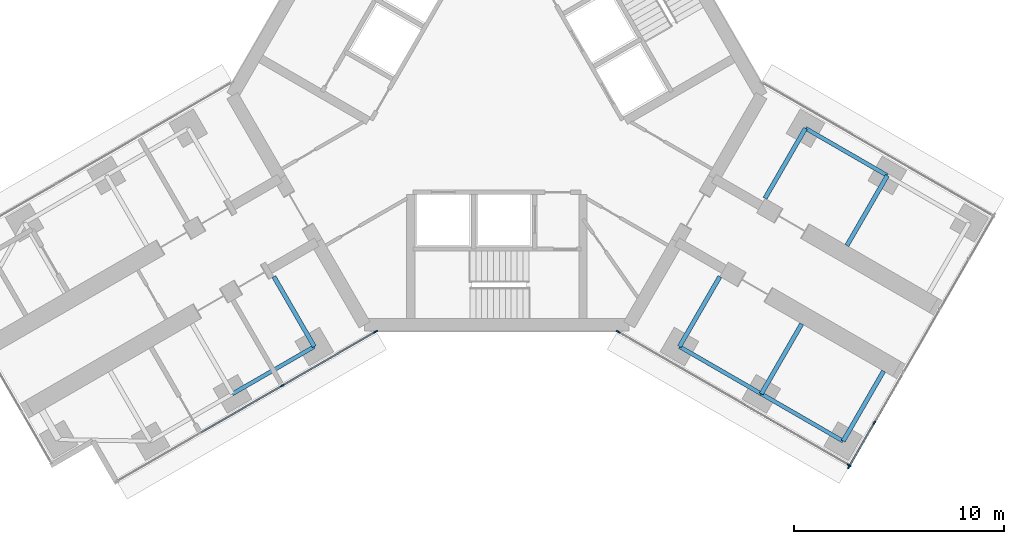
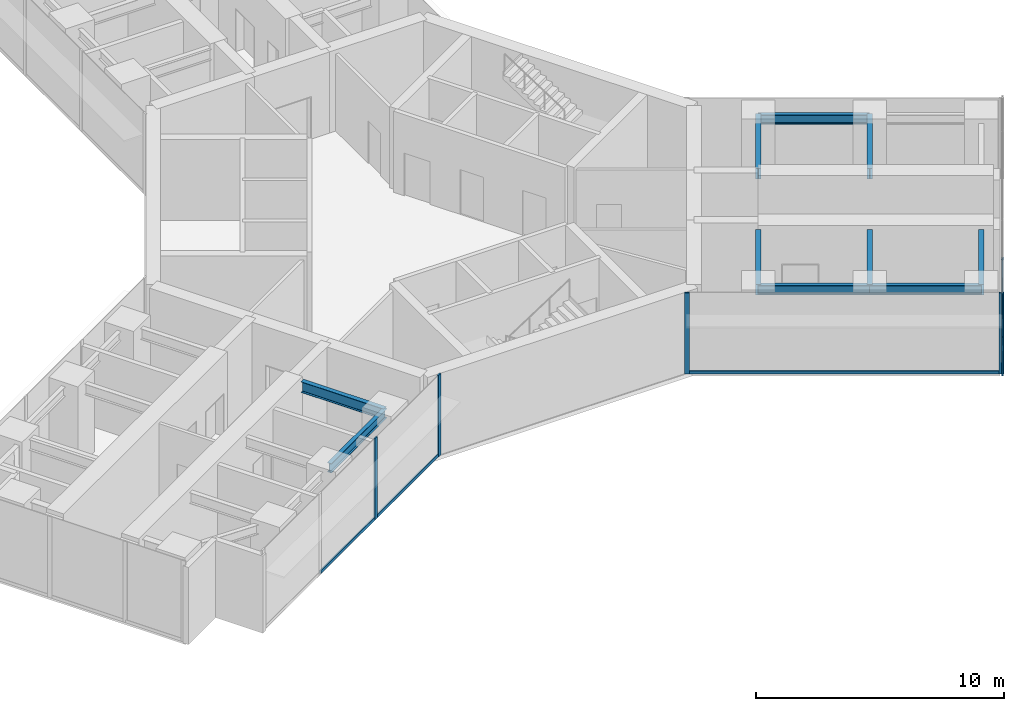
# One storey, part 8 of 21: 11 members, 10 beams, 3 elements without a shape of their own.
"""IFC4 building model written with IfcOpenShell, lengths in metres."""

from ifc_helpers import new_model, si_unit, direction, frame, origin, origin_2d, place, context, subcontext, project, spatial, rectangle, i_section, extrude, material, material_profile, profile_set, type_object, element, aggregate, save


model = new_model("IFC4")

# Units and contexts
model_context = context("Model", 3, precision=1e-05, world=origin(), true_north=direction((0.0, 1.0)))
body_context = subcontext(model_context, "Body", "Model", "MODEL_VIEW")
ifc_project = project(units=[si_unit("LENGTHUNIT", "METRE"), si_unit("AREAUNIT", "SQUARE_METRE"), si_unit("VOLUMEUNIT", "CUBIC_METRE"), si_unit("PLANEANGLEUNIT", "RADIAN"), si_unit("MASSUNIT", "GRAM", prefix="KILO")], contexts=[model_context])

# Site, building, storey
site_placement = place(None, origin())
site = spatial("IfcSite", under=ifc_project, at=site_placement, CompositionType="ELEMENT")
building_placement = place(site_placement, origin())
building = spatial("IfcBuilding", under=site, at=building_placement, Name="Upepo Twin Towers", CompositionType="ELEMENT")
storey_placement = place(building_placement, frame((0.0, 0.0, 117.5)))
storey = spatial("IfcBuildingStorey", under=building, at=storey_placement, Name="L28", CompositionType="ELEMENT", Elevation=117.5)

# Beams
ifc_material_1 = material(Name="Steel S355", Category="steel")
ifc_material_profile_1 = material_profile(ifc_material_1, i_section(OverallWidth=0.1904296875, OverallDepth=0.45703125, WebThickness=0.009033203125, FlangeThickness=0.014404296875, FilletRadius=0.01025390625, at=origin_2d()), Name="UB 457x191x74")
ifc_profile_set_1 = profile_set([ifc_material_profile_1], Name="Steel S355")
beam_type_1 = type_object("IfcBeamType", Name="Beam UB 457x191x74", PredefinedType="BEAM", material=ifc_profile_set_1)
for number, where, z_axis, x_axis, name in (
    (1, (49.80859375, -29.946044921875, 3.571533203125), (-0.866017533419, -0.500013631625, 0.0), (0.500013631625, -0.866017533419, 0.0), "T2 edge beam BL 13.5-18.0"),
    (2, (73.19140625, -19.553955078125, 3.571533203125), (0.866017533419, -0.500013631625, 0.0), (0.500013631625, 0.866017533419, 0.0), "T2 edge beam CL 13.5-18.0"),
    (3, (67.19140625, -29.946044921875, 3.571533203125), (0.866017533419, -0.500013631625, 0.0), (0.500013631625, 0.866017533419, 0.0), "T2 edge beam CR 13.5-18.0"),
):
    element("IfcBeam", number, at=place(storey_placement, frame(where, z_axis=z_axis, x_axis=x_axis)), inside=storey, type_object=beam_type_1, Name=name, PredefinedType="BEAM", context=body_context, shape_type="SweptSolid", body=[
        extrude(i_section(OverallWidth=0.1904296875, OverallDepth=0.45703125, WebThickness=0.009033203125, FlangeThickness=0.014404296875, FilletRadius=0.01025390625, at=origin_2d()), origin(), (0.0, 0.0, 1.0), 4.499755859375),
    ])
beam_1_placement = place(storey_placement, frame((71.08837890625, -32.196044921875, 3.571533203125), z_axis=(0.866031096941, -0.499990139034, 0.0), x_axis=(0.499990139034, 0.866031096941, 0.0)))
element("IfcBeam", 4, at=beam_1_placement, inside=storey, type_object=beam_type_1, Name="T2 edge beam CR 18.0-22.5", PredefinedType="BEAM", context=body_context, shape_type="SweptSolid", body=[
    extrude(i_section(OverallWidth=0.1904296875, OverallDepth=0.45703125, WebThickness=0.009033203125, FlangeThickness=0.014404296875, FilletRadius=0.01025390625, at=origin_2d()), origin(), (0.0, 0.0, 1.0), 4.5),
])
ifc_material_2 = material(Name="Steel S355", Category="steel")
ifc_material_profile_2 = material_profile(ifc_material_2, i_section(OverallWidth=0.209228515625, OverallDepth=0.533203125, WebThickness=0.010009765625, FlangeThickness=0.015625, FilletRadius=0.0126953125, at=origin_2d()), Name="UB 533x210x92")
ifc_profile_set_2 = profile_set([ifc_material_profile_2], Name="Steel S355")
beam_type_2 = type_object("IfcBeamType", Name="Beam UB 533x210x92", PredefinedType="BEAM", material=ifc_profile_set_2)
for number, where, z_axis, x_axis, name in (
    (5, (49.80859375, -29.946044921875, 3.533447265625), (-0.500033517596, 0.866006051527, 0.0), (-0.866006051527, -0.500033517596, 0.0), "T2 girder BL at 13.5"),
    (6, (73.19140625, -19.553955078125, 3.533447265625), (-0.500033517596, -0.866006051527, 0.0), (0.866006051527, -0.500033517596, 0.0), "T2 girder CL at 13.5"),
):
    element("IfcBeam", number, at=place(storey_placement, frame(where, z_axis=z_axis, x_axis=x_axis)), inside=storey, type_object=beam_type_2, Name=name, PredefinedType="BEAM", context=body_context, shape_type="SweptSolid", body=[
        extrude(i_section(OverallWidth=0.209228515625, OverallDepth=0.533203125, WebThickness=0.010009765625, FlangeThickness=0.015625, FilletRadius=0.0126953125, at=origin_2d()), origin(), (0.0, 0.0, 1.0), 3.849853515625),
    ])
beam_2_placement = place(storey_placement, frame((77.08837890625, -21.803955078125, 3.533447265625), z_axis=(-0.499985955615, -0.866033512162, 0.0), x_axis=(0.866033512162, -0.499985955615, 0.0)))
element("IfcBeam", 7, at=beam_2_placement, inside=storey, type_object=beam_type_2, Name="T2 girder CL at 18.0", PredefinedType="BEAM", context=body_context, shape_type="SweptSolid", body=[
    extrude(i_section(OverallWidth=0.209228515625, OverallDepth=0.533203125, WebThickness=0.010009765625, FlangeThickness=0.015625, FilletRadius=0.0126953125, at=origin_2d()), origin(), (0.0, 0.0, 1.0), 3.849609375),
])
for number, where, z_axis, x_axis, name in (
    (8, (67.19140625, -29.946044921875, 3.533447265625), (0.500033517596, 0.866006051527, 0.0), (-0.866006051527, 0.500033517596, 0.0), "T2 girder CR at 13.5"),
    (9, (71.08837890625, -32.196044921875, 3.533447265625), (0.500033517596, 0.866006051527, 0.0), (-0.866006051527, 0.500033517596, 0.0), "T2 girder CR at 18.0"),
    (10, (74.985595703125, -34.446044921875, 3.533447265625), (0.500033517596, 0.866006051527, 0.0), (-0.866006051527, 0.500033517596, 0.0), "T2 girder CR at 22.5"),
):
    element("IfcBeam", number, at=place(storey_placement, frame(where, z_axis=z_axis, x_axis=x_axis)), inside=storey, type_object=beam_type_2, Name=name, PredefinedType="BEAM", context=body_context, shape_type="SweptSolid", body=[
        extrude(i_section(OverallWidth=0.209228515625, OverallDepth=0.533203125, WebThickness=0.010009765625, FlangeThickness=0.015625, FilletRadius=0.0126953125, at=origin_2d()), origin(), (0.0, 0.0, 1.0), 3.849853515625),
    ])

# Curtain wall, members
ifc_material_3 = material(Name="Aluminium and fritted glass", Category="aluminium")
curtain_wall_type = type_object("IfcCurtainWallType", Name="Tower curtain wall TW2, fritted glass", PredefinedType="NOTDEFINED", material=ifc_material_3)
curtain_wall_1_placement = place(storey_placement, origin())
curtain_wall_1 = element("IfcCurtainWall", 11, at=curtain_wall_1_placement, inside=storey, type_object=curtain_wall_type, Name="T2 L28 wing B flank L curtain wall", PredefinedType="NOTDEFINED")
ifc_material_4 = material(Name="Aluminium mullion", Category="aluminium")
ifc_material_profile_3 = material_profile(ifc_material_4, rectangle(XDim=0.06494140625, YDim=0.199951171875, at=origin_2d()), Name="MULLION 65x200")
ifc_profile_set_3 = profile_set([ifc_material_profile_3], Name="Aluminium mullion")
member_type_1 = type_object("IfcMemberType", Name="Mullion 65x200 TW2", PredefinedType="MULLION", material=ifc_profile_set_3)
member_1_placement = place(storey_placement, frame((52.72802734375, -29.2421875, 0.0), z_axis=(0.0, 0.0, 1.0), x_axis=(0.500000010308, -0.866025397833, 0.0)))
member_1 = element("IfcMember", 12, at=member_1_placement, type_object=member_type_1, Name="T2 L28 wing B flank L curtain wall mullion 1", PredefinedType="MULLION", context=body_context, shape_type="SweptSolid", body=[
    extrude(rectangle(XDim=0.06494140625, YDim=0.199951171875, at=origin_2d()), origin(), (0.0, 0.0, 1.0), 4.0),
])
member_2_placement = place(storey_placement, frame((48.28515625, -31.807373046875, 0.0), z_axis=(0.0, 0.0, 1.0), x_axis=(0.500000010308, -0.866025397833, 0.0)))
member_2 = element("IfcMember", 13, at=member_2_placement, type_object=member_type_1, Name="T2 L28 wing B flank L curtain wall mullion 2", PredefinedType="MULLION", context=body_context, shape_type="SweptSolid", body=[
    extrude(rectangle(XDim=0.06494140625, YDim=0.199951171875, at=origin_2d()), origin(), (0.0, 0.0, 1.0), 4.0),
])

curtain_wall_2_placement = place(storey_placement, origin())
curtain_wall_2 = element("IfcCurtainWall", 14, at=curtain_wall_2_placement, inside=storey, type_object=curtain_wall_type, Name="T2 L28 wing C flank R curtain wall", PredefinedType="NOTDEFINED")
member_3_placement = place(storey_placement, frame((75.2685546875, -35.591064453125, 0.0), z_axis=(0.0, 0.0, 1.0), x_axis=(-0.50000000792, -0.866025399212, 0.0)))
member_3 = element("IfcMember", 15, at=member_3_placement, type_object=member_type_1, Name="T2 L28 wing C flank R curtain wall mullion 1", PredefinedType="MULLION", context=body_context, shape_type="SweptSolid", body=[
    extrude(rectangle(XDim=0.06494140625, YDim=0.199951171875, at=origin_2d()), origin(), (0.0, 0.0, 1.0), 4.0),
])
member_4_placement = place(storey_placement, frame((64.27197265625, -29.2421875, 0.0), z_axis=(0.0, 0.0, 1.0), x_axis=(-0.50000000792, -0.866025399212, 0.0)))
member_4 = element("IfcMember", 16, at=member_4_placement, type_object=member_type_1, Name="T2 L28 wing C flank R curtain wall mullion 2", PredefinedType="MULLION", context=body_context, shape_type="SweptSolid", body=[
    extrude(rectangle(XDim=0.06494140625, YDim=0.199951171875, at=origin_2d()), origin(), (0.0, 0.0, 1.0), 4.0),
])

curtain_wall_3_placement = place(storey_placement, origin())
curtain_wall_3 = element("IfcCurtainWall", 17, at=curtain_wall_3_placement, inside=storey, type_object=curtain_wall_type, Name="T2 L28 wing C nose curtain wall", PredefinedType="NOTDEFINED")
member_5_placement = place(storey_placement, frame((75.262939453125, -35.665771484375, 0.0), z_axis=(0.0, 0.0, 1.0), x_axis=(-0.866025419745, 0.499999972355, 0.0)))
member_5 = element("IfcMember", 18, at=member_5_placement, type_object=member_type_1, Name="T2 L28 wing C nose curtain wall mullion 1", PredefinedType="MULLION", context=body_context, shape_type="SweptSolid", body=[
    extrude(rectangle(XDim=0.06494140625, YDim=0.199951171875, at=origin_2d()), origin(), (0.0, 0.0, 1.0), 4.0),
])
member_6_placement = place(storey_placement, frame((76.4716796875, -33.572021484375, 0.0), z_axis=(0.0, 0.0, 1.0), x_axis=(-0.866025419745, 0.499999972355, 0.0)))
member_6 = element("IfcMember", 19, at=member_6_placement, type_object=member_type_1, Name="T2 L28 wing C nose curtain wall mullion 2", PredefinedType="MULLION", context=body_context, shape_type="SweptSolid", body=[
    extrude(rectangle(XDim=0.06494140625, YDim=0.199951171875, at=origin_2d()), origin(), (0.0, 0.0, 1.0), 4.0),
])

# Member
ifc_material_5 = material(Name="Aluminium transom", Category="aluminium")
ifc_material_profile_4 = material_profile(ifc_material_5, rectangle(XDim=0.06494140625, YDim=0.14990234375, at=origin_2d()), Name="TRANSOM 65x150")
ifc_profile_set_4 = profile_set([ifc_material_profile_4], Name="Aluminium transom")
member_type_2 = type_object("IfcMemberType", Name="Transom 65x150 TW2", PredefinedType="USERDEFINED", material=ifc_profile_set_4)
member_7_placement = place(storey_placement, frame((52.699951171875, -29.25830078125, 0.074951171875), z_axis=(-0.866021848223, -0.500006158363, 0.0), x_axis=(0.500006158363, -0.866021848223, 0.0)))
member_7 = element("IfcMember", 20, at=member_7_placement, type_object=member_type_2, Name="T2 L28 wing B flank L curtain wall transom 1", ObjectType="TRANSOM", PredefinedType="USERDEFINED", context=body_context, shape_type="SweptSolid", body=[
    extrude(rectangle(XDim=0.06494140625, YDim=0.14990234375, at=origin_2d()), origin(), (0.0, 0.0, 1.0), 5.0654296875),
])

member_8_placement = place(storey_placement, frame((48.2568359375, -31.823486328125, 0.074951171875), z_axis=(-0.866022410713, -0.500005184116, 0.0), x_axis=(0.500005184116, -0.866022410713, 0.0)))
member_8 = element("IfcMember", 21, at=member_8_placement, type_object=member_type_2, Name="T2 L28 wing B flank L curtain wall transom 2", ObjectType="TRANSOM", PredefinedType="USERDEFINED", context=body_context, shape_type="SweptSolid", body=[
    extrude(rectangle(XDim=0.06494140625, YDim=0.14990234375, at=origin_2d()), origin(), (0.0, 0.0, 1.0), 4.43505859375),
])

aggregate(curtain_wall_1, [member_1, member_2, member_7, member_8])

member_9_placement = place(storey_placement, frame((75.240478515625, -35.57470703125, 0.074951171875), z_axis=(-0.866027247007, 0.499996807431, 0.0), x_axis=(-0.499996807431, -0.866027247007, 0.0)))
member_9 = element("IfcMember", 22, at=member_9_placement, type_object=member_type_2, Name="T2 L28 wing C flank R curtain wall transom 1", ObjectType="TRANSOM", PredefinedType="USERDEFINED", context=body_context, shape_type="SweptSolid", body=[
    extrude(rectangle(XDim=0.06494140625, YDim=0.14990234375, at=origin_2d()), origin(), (0.0, 0.0, 1.0), 12.6328125),
])

aggregate(curtain_wall_2, [member_3, member_4, member_9])

member_10_placement = place(storey_placement, frame((75.279296875, -35.6376953125, 0.074951171875), z_axis=(0.499923095048, 0.866069800327, 0.0), x_axis=(-0.866069800327, 0.499923095048, 0.0)))
member_10 = element("IfcMember", 23, at=member_10_placement, type_object=member_type_2, Name="T2 L28 wing C nose curtain wall transom 1", ObjectType="TRANSOM", PredefinedType="USERDEFINED", context=body_context, shape_type="SweptSolid", body=[
    extrude(rectangle(XDim=0.06494140625, YDim=0.14990234375, at=origin_2d()), origin(), (0.0, 0.0, 1.0), 2.352294921875),
])

member_11_placement = place(storey_placement, frame((76.488037109375, -33.5439453125, 0.074951171875), z_axis=(0.49995335277, 0.8660523339, 0.0), x_axis=(-0.8660523339, 0.49995335277, 0.0)))
member_11 = element("IfcMember", 24, at=member_11_placement, type_object=member_type_2, Name="T2 L28 wing C nose curtain wall transom 2", ObjectType="TRANSOM", PredefinedType="USERDEFINED", context=body_context, shape_type="SweptSolid", body=[
    extrude(rectangle(XDim=0.06494140625, YDim=0.14990234375, at=origin_2d()), origin(), (0.0, 0.0, 1.0), 2.684814453125),
])

aggregate(curtain_wall_3, [member_5, member_6, member_10, member_11])

save(model, "model.ifc")
